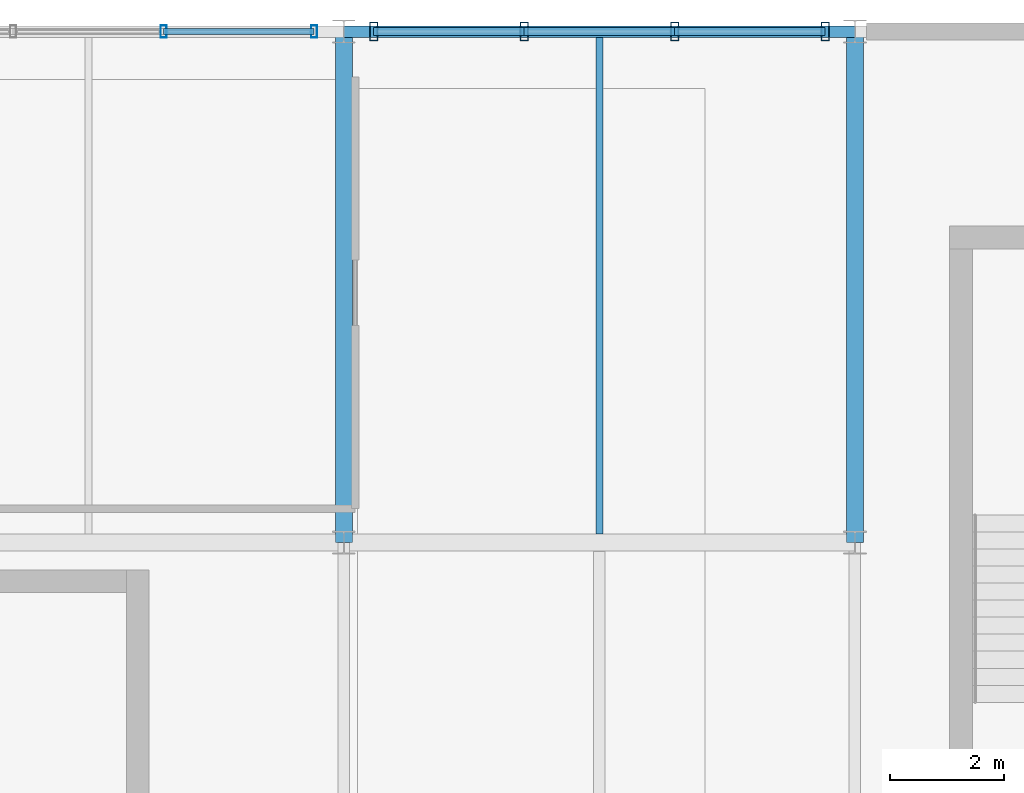
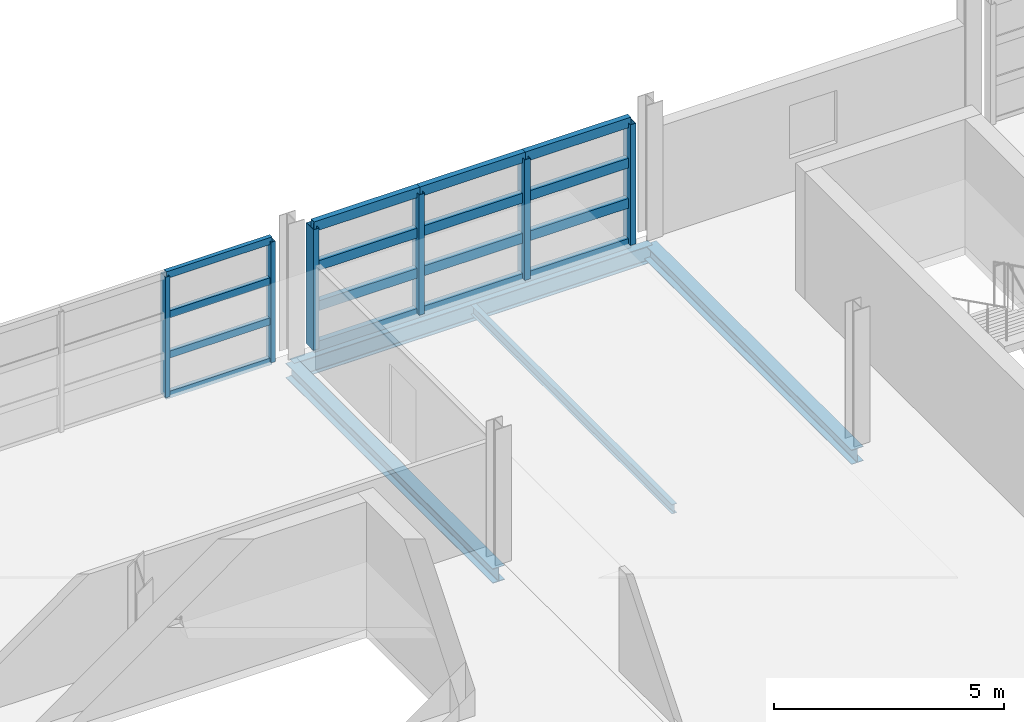
# One storey, part 81 of 116: 22 members, 4 beams, 2 elements without a shape of their own.
"""IFC4 building model written with IfcOpenShell, lengths in metres."""

from ifc_helpers import new_model, si_unit, direction, frame, origin, origin_2d, place, context, subcontext, project, spatial, hollow_rectangle, i_section, extrude, material, material_profile, profile_set, type_object, element, aggregate, save


model = new_model("IFC4")

# Units and contexts
model_context = context("Model", 3, precision=1e-05, world=origin(), true_north=direction((0.0, 1.0)))
body_context = subcontext(model_context, "Body", "Model", "MODEL_VIEW")
ifc_project = project(units=[si_unit("LENGTHUNIT", "METRE"), si_unit("AREAUNIT", "SQUARE_METRE"), si_unit("VOLUMEUNIT", "CUBIC_METRE"), si_unit("PLANEANGLEUNIT", "RADIAN"), si_unit("MASSUNIT", "GRAM", prefix="KILO")], contexts=[model_context])

# Site, building, storey
site_placement = place(None, origin())
site = spatial("IfcSite", under=ifc_project, at=site_placement, CompositionType="ELEMENT")
building_placement = place(site_placement, origin())
building = spatial("IfcBuilding", under=site, at=building_placement, Name="Chuanluo Vaults Station", CompositionType="ELEMENT")
storey_placement = place(building_placement, frame((0.0, 0.0, 10.800048828125)))
storey = spatial("IfcBuildingStorey", under=building, at=storey_placement, Name="L02", CompositionType="ELEMENT", Elevation=10.800048828125)

# Beams
ifc_material_1 = material(Name="Steel Q355C", Category="steel")
ifc_material_profile_1 = material_profile(ifc_material_1, i_section(OverallWidth=0.300048828125, OverallDepth=0.389892578125, WebThickness=0.010009765625, FlangeThickness=0.01611328125, FilletRadius=0.02001953125, at=origin_2d()))
ifc_profile_set_1 = profile_set([ifc_material_profile_1], Name="Steel Q355C")
beam_type_1 = type_object("IfcBeamType", Name="BM-GRD-400", PredefinedType="BEAM", material=ifc_profile_set_1)
for number, where, z_axis, x_axis, name in (
    (1, (163.0, 117.0, -0.4150390625), (0.0, 1.0, 0.0), (-1.0, 0.0, 0.0), "Floor girder BM:GY:L02:0674"),
    (2, (172.0, 117.0, -0.4150390625), (0.0, 1.0, 0.0), (-1.0, 0.0, 0.0), "Floor girder BM:GY:L02:0686"),
):
    element("IfcBeam", number, at=place(storey_placement, frame(where, z_axis=z_axis, x_axis=x_axis)), inside=storey, type_object=beam_type_1, Name=name, PredefinedType="BEAM", context=body_context, shape_type="SweptSolid", body=[
        extrude(i_section(OverallWidth=0.300048828125, OverallDepth=0.389892578125, WebThickness=0.010009765625, FlangeThickness=0.01611328125, FilletRadius=0.02001953125, at=origin_2d()), origin(), (0.0, 0.0, 1.0), 9.0),
    ])
ifc_material_2 = material(Name="Steel Q355C", Category="steel")
ifc_material_profile_2 = material_profile(ifc_material_2, i_section(OverallWidth=0.125, OverallDepth=0.25, WebThickness=0.006103515625, FlangeThickness=0.009033203125, FilletRadius=0.011962890625, at=origin_2d()))
ifc_profile_set_2 = profile_set([ifc_material_profile_2], Name="Steel Q355C")
beam_type_2 = type_object("IfcBeamType", Name="BM-SEC-250", PredefinedType="JOIST", material=ifc_profile_set_2)
beam_1_placement = place(storey_placement, frame((167.5, 117.155029296875, -0.344970703125), z_axis=(0.0, 1.0, 0.0), x_axis=(-1.0, 0.0, 0.0)))
element("IfcBeam", 3, at=beam_1_placement, inside=storey, type_object=beam_type_2, Name="Composite secondary joist 0227", PredefinedType="JOIST", context=body_context, shape_type="SweptSolid", body=[
    extrude(i_section(OverallWidth=0.125, OverallDepth=0.25, WebThickness=0.006103515625, FlangeThickness=0.009033203125, FilletRadius=0.011962890625, at=origin_2d()), origin(), (0.0, 0.0, 1.0), 8.737548828125),
])
ifc_material_3 = material(Name="Steel Q355C", Category="steel")
ifc_material_profile_3 = material_profile(ifc_material_3, i_section(OverallWidth=0.205078125, OverallDepth=0.4599609375, WebThickness=0.009033203125, FlangeThickness=0.013916015625, FilletRadius=0.01611328125, at=origin_2d()))
ifc_profile_set_3 = profile_set([ifc_material_profile_3], Name="Steel Q355C")
beam_type_3 = type_object("IfcBeamType", Name="BM-SPN-450", PredefinedType="SPANDREL", material=ifc_profile_set_3)
beam_2_placement = place(storey_placement, frame((163.0, 126.0, -0.449951171875), z_axis=(1.0, 0.0, 0.0), x_axis=(0.0, 1.0, 0.0)))
element("IfcBeam", 4, at=beam_2_placement, inside=storey, type_object=beam_type_3, Name="Floor girder BM:GX:L02:0617", PredefinedType="SPANDREL", context=body_context, shape_type="SweptSolid", body=[
    extrude(i_section(OverallWidth=0.205078125, OverallDepth=0.4599609375, WebThickness=0.009033203125, FlangeThickness=0.013916015625, FilletRadius=0.01611328125, at=origin_2d()), origin(), (0.0, 0.0, 1.0), 9.0),
])

# Curtain wall, members
ifc_material_4 = material(Name="Anodised aluminium 6063-T6", Category="aluminium")
curtain_wall_type_1 = type_object("IfcCurtainWallType", Name="CW-SYS-12", PredefinedType="NOTDEFINED", material=ifc_material_4)
curtain_wall_1_placement = place(storey_placement, origin())
curtain_wall_1 = element("IfcCurtainWall", 5, at=curtain_wall_1_placement, inside=storey, type_object=curtain_wall_type_1, Name="Operations L02 facade CW", PredefinedType="NOTDEFINED")
ifc_material_5 = material(Name="Anodised aluminium 6063-T6", Category="aluminium")
ifc_material_profile_4 = material_profile(ifc_material_5, hollow_rectangle(XDim=0.10498046875, YDim=0.219970703125, WallThickness=0.006103515625, at=origin_2d()))
ifc_profile_set_4 = profile_set([ifc_material_profile_4], Name="Anodised aluminium 6063-T6")
member_type_1 = type_object("IfcMemberType", Name="CWM-140", PredefinedType="MULLION", material=ifc_profile_set_4)
member_1_placement = place(storey_placement, frame((159.824951171875, 126.0, 0.0), z_axis=(0.0, 0.0, 1.0), x_axis=(1.0, 0.0, 0.0)))
member_1 = element("IfcMember", 6, at=member_1_placement, type_object=member_type_1, Name="Operations L02 facade CW mullion 3", PredefinedType="MULLION", context=body_context, shape_type="SweptSolid", body=[
    extrude(hollow_rectangle(XDim=0.10498046875, YDim=0.219970703125, WallThickness=0.006103515625, at=origin_2d()), origin(), (0.0, 0.0, 1.0), 3.199951171875),
])
member_2_placement = place(storey_placement, frame((162.47509765625, 126.0, 0.0), z_axis=(0.0, 0.0, 1.0), x_axis=(1.0, 0.0, 0.0)))
member_2 = element("IfcMember", 7, at=member_2_placement, type_object=member_type_1, Name="Operations L02 facade CW mullion 4", PredefinedType="MULLION", context=body_context, shape_type="SweptSolid", body=[
    extrude(hollow_rectangle(XDim=0.10498046875, YDim=0.219970703125, WallThickness=0.006103515625, at=origin_2d()), origin(), (0.0, 0.0, 1.0), 3.199951171875),
])

ifc_material_6 = material(Name="Anodised aluminium 6063-T6", Category="aluminium")
curtain_wall_type_2 = type_object("IfcCurtainWallType", Name="CW-SYS-13", PredefinedType="NOTDEFINED", material=ifc_material_6)
curtain_wall_2_placement = place(storey_placement, origin())
curtain_wall_2 = element("IfcCurtainWall", 8, at=curtain_wall_2_placement, inside=storey, type_object=curtain_wall_type_2, Name="Operations L02 facade CW", PredefinedType="NOTDEFINED")
ifc_material_7 = material(Name="Anodised aluminium 6063-T6", Category="aluminium")
ifc_material_profile_5 = material_profile(ifc_material_7, hollow_rectangle(XDim=0.139892578125, YDim=0.320068359375, WallThickness=0.008056640625, at=origin_2d()))
ifc_profile_set_5 = profile_set([ifc_material_profile_5], Name="Anodised aluminium 6063-T6")
member_type_2 = type_object("IfcMemberType", Name="CWM-220", PredefinedType="MULLION", material=ifc_profile_set_5)
member_3_placement = place(storey_placement, frame((163.52490234375, 126.0, 0.0), z_axis=(0.0, 0.0, 1.0), x_axis=(1.0, 0.0, 0.0)))
member_3 = element("IfcMember", 9, at=member_3_placement, type_object=member_type_2, Name="Operations L02 facade CW mullion 1", PredefinedType="MULLION", context=body_context, shape_type="SweptSolid", body=[
    extrude(hollow_rectangle(XDim=0.139892578125, YDim=0.320068359375, WallThickness=0.008056640625, at=origin_2d()), origin(), (0.0, 0.0, 1.0), 3.199951171875),
])
member_4_placement = place(storey_placement, frame((166.175048828125, 126.0, 0.0), z_axis=(0.0, 0.0, 1.0), x_axis=(1.0, 0.0, 0.0)))
member_4 = element("IfcMember", 10, at=member_4_placement, type_object=member_type_2, Name="Operations L02 facade CW mullion 2", PredefinedType="MULLION", context=body_context, shape_type="SweptSolid", body=[
    extrude(hollow_rectangle(XDim=0.139892578125, YDim=0.320068359375, WallThickness=0.008056640625, at=origin_2d()), origin(), (0.0, 0.0, 1.0), 3.199951171875),
])
member_5_placement = place(storey_placement, frame((168.824951171875, 126.0, 0.0), z_axis=(0.0, 0.0, 1.0), x_axis=(1.0, 0.0, 0.0)))
member_5 = element("IfcMember", 11, at=member_5_placement, type_object=member_type_2, Name="Operations L02 facade CW mullion 3", PredefinedType="MULLION", context=body_context, shape_type="SweptSolid", body=[
    extrude(hollow_rectangle(XDim=0.139892578125, YDim=0.320068359375, WallThickness=0.008056640625, at=origin_2d()), origin(), (0.0, 0.0, 1.0), 3.199951171875),
])
member_6_placement = place(storey_placement, frame((171.47509765625, 126.0, 0.0), z_axis=(0.0, 0.0, 1.0), x_axis=(1.0, 0.0, 0.0)))
member_6 = element("IfcMember", 12, at=member_6_placement, type_object=member_type_2, Name="Operations L02 facade CW mullion 4", PredefinedType="MULLION", context=body_context, shape_type="SweptSolid", body=[
    extrude(hollow_rectangle(XDim=0.139892578125, YDim=0.320068359375, WallThickness=0.008056640625, at=origin_2d()), origin(), (0.0, 0.0, 1.0), 3.199951171875),
])

# Member
ifc_material_8 = material(Name="Anodised aluminium 6063-T6", Category="aluminium")
ifc_material_profile_6 = material_profile(ifc_material_8, hollow_rectangle(XDim=0.10498046875, YDim=0.18505859375, WallThickness=0.0048828125, at=origin_2d()))
ifc_profile_set_6 = profile_set([ifc_material_profile_6], Name="Anodised aluminium 6063-T6")
member_type_3 = type_object("IfcMemberType", Name="CWT-110", PredefinedType="USERDEFINED", material=ifc_profile_set_6)
member_7_placement = place(storey_placement, frame((159.824951171875, 126.0, 0.0), z_axis=(1.0, 0.0, 0.0), x_axis=(0.0, 1.0, 0.0)))
member_7 = element("IfcMember", 13, at=member_7_placement, type_object=member_type_3, Name="Operations L02 facade CW transom 3.1", ObjectType="TRANSOM", PredefinedType="USERDEFINED", context=body_context, shape_type="SweptSolid", body=[
    extrude(hollow_rectangle(XDim=0.10498046875, YDim=0.18505859375, WallThickness=0.0048828125, at=origin_2d()), origin(), (0.0, 0.0, 1.0), 2.650146484375),
])

member_8_placement = place(storey_placement, frame((159.824951171875, 126.0, 1.066650390625), z_axis=(1.0, 0.0, 0.0), x_axis=(0.0, 1.0, 0.0)))
member_8 = element("IfcMember", 14, at=member_8_placement, type_object=member_type_3, Name="Operations L02 facade CW transom 3.2", ObjectType="TRANSOM", PredefinedType="USERDEFINED", context=body_context, shape_type="SweptSolid", body=[
    extrude(hollow_rectangle(XDim=0.10498046875, YDim=0.18505859375, WallThickness=0.0048828125, at=origin_2d()), origin(), (0.0, 0.0, 1.0), 2.650146484375),
])

member_9_placement = place(storey_placement, frame((159.824951171875, 126.0, 2.13330078125), z_axis=(1.0, 0.0, 0.0), x_axis=(0.0, 1.0, 0.0)))
member_9 = element("IfcMember", 15, at=member_9_placement, type_object=member_type_3, Name="Operations L02 facade CW transom 3.3", ObjectType="TRANSOM", PredefinedType="USERDEFINED", context=body_context, shape_type="SweptSolid", body=[
    extrude(hollow_rectangle(XDim=0.10498046875, YDim=0.18505859375, WallThickness=0.0048828125, at=origin_2d()), origin(), (0.0, 0.0, 1.0), 2.650146484375),
])

member_10_placement = place(storey_placement, frame((159.824951171875, 126.0, 3.199951171875), z_axis=(1.0, 0.0, 0.0), x_axis=(0.0, 1.0, 0.0)))
member_10 = element("IfcMember", 16, at=member_10_placement, type_object=member_type_3, Name="Operations L02 facade CW transom 3.4", ObjectType="TRANSOM", PredefinedType="USERDEFINED", context=body_context, shape_type="SweptSolid", body=[
    extrude(hollow_rectangle(XDim=0.10498046875, YDim=0.18505859375, WallThickness=0.0048828125, at=origin_2d()), origin(), (0.0, 0.0, 1.0), 2.650146484375),
])

aggregate(curtain_wall_1, [member_1, member_2, member_7, member_8, member_9, member_10])

ifc_material_9 = material(Name="Anodised aluminium 6063-T6", Category="aluminium")
ifc_material_profile_7 = material_profile(ifc_material_9, hollow_rectangle(XDim=0.139892578125, YDim=0.260009765625, WallThickness=0.007080078125, at=origin_2d()))
ifc_profile_set_7 = profile_set([ifc_material_profile_7], Name="Anodised aluminium 6063-T6")
member_type_4 = type_object("IfcMemberType", Name="CWT-180", PredefinedType="USERDEFINED", material=ifc_profile_set_7)
member_11_placement = place(storey_placement, frame((163.52490234375, 126.0, 0.0), z_axis=(1.0, 0.0, 0.0), x_axis=(0.0, 1.0, 0.0)))
member_11 = element("IfcMember", 17, at=member_11_placement, type_object=member_type_4, Name="Operations L02 facade CW transom 1.1", ObjectType="TRANSOM", PredefinedType="USERDEFINED", context=body_context, shape_type="SweptSolid", body=[
    extrude(hollow_rectangle(XDim=0.139892578125, YDim=0.260009765625, WallThickness=0.007080078125, at=origin_2d()), origin(), (0.0, 0.0, 1.0), 2.650146484375),
])

member_12_placement = place(storey_placement, frame((163.52490234375, 126.0, 1.066650390625), z_axis=(1.0, 0.0, 0.0), x_axis=(0.0, 1.0, 0.0)))
member_12 = element("IfcMember", 18, at=member_12_placement, type_object=member_type_4, Name="Operations L02 facade CW transom 1.2", ObjectType="TRANSOM", PredefinedType="USERDEFINED", context=body_context, shape_type="SweptSolid", body=[
    extrude(hollow_rectangle(XDim=0.139892578125, YDim=0.260009765625, WallThickness=0.007080078125, at=origin_2d()), origin(), (0.0, 0.0, 1.0), 2.650146484375),
])

member_13_placement = place(storey_placement, frame((163.52490234375, 126.0, 2.13330078125), z_axis=(1.0, 0.0, 0.0), x_axis=(0.0, 1.0, 0.0)))
member_13 = element("IfcMember", 19, at=member_13_placement, type_object=member_type_4, Name="Operations L02 facade CW transom 1.3", ObjectType="TRANSOM", PredefinedType="USERDEFINED", context=body_context, shape_type="SweptSolid", body=[
    extrude(hollow_rectangle(XDim=0.139892578125, YDim=0.260009765625, WallThickness=0.007080078125, at=origin_2d()), origin(), (0.0, 0.0, 1.0), 2.650146484375),
])

member_14_placement = place(storey_placement, frame((163.52490234375, 126.0, 3.199951171875), z_axis=(1.0, 0.0, 0.0), x_axis=(0.0, 1.0, 0.0)))
member_14 = element("IfcMember", 20, at=member_14_placement, type_object=member_type_4, Name="Operations L02 facade CW transom 1.4", ObjectType="TRANSOM", PredefinedType="USERDEFINED", context=body_context, shape_type="SweptSolid", body=[
    extrude(hollow_rectangle(XDim=0.139892578125, YDim=0.260009765625, WallThickness=0.007080078125, at=origin_2d()), origin(), (0.0, 0.0, 1.0), 2.650146484375),
])

member_15_placement = place(storey_placement, frame((166.175048828125, 126.0, 0.0), z_axis=(1.0, 0.0, 0.0), x_axis=(0.0, 1.0, 0.0)))
member_15 = element("IfcMember", 21, at=member_15_placement, type_object=member_type_4, Name="Operations L02 facade CW transom 2.1", ObjectType="TRANSOM", PredefinedType="USERDEFINED", context=body_context, shape_type="SweptSolid", body=[
    extrude(hollow_rectangle(XDim=0.139892578125, YDim=0.260009765625, WallThickness=0.007080078125, at=origin_2d()), origin(), (0.0, 0.0, 1.0), 2.64990234375),
])

member_16_placement = place(storey_placement, frame((166.175048828125, 126.0, 1.066650390625), z_axis=(1.0, 0.0, 0.0), x_axis=(0.0, 1.0, 0.0)))
member_16 = element("IfcMember", 22, at=member_16_placement, type_object=member_type_4, Name="Operations L02 facade CW transom 2.2", ObjectType="TRANSOM", PredefinedType="USERDEFINED", context=body_context, shape_type="SweptSolid", body=[
    extrude(hollow_rectangle(XDim=0.139892578125, YDim=0.260009765625, WallThickness=0.007080078125, at=origin_2d()), origin(), (0.0, 0.0, 1.0), 2.64990234375),
])

member_17_placement = place(storey_placement, frame((166.175048828125, 126.0, 2.13330078125), z_axis=(1.0, 0.0, 0.0), x_axis=(0.0, 1.0, 0.0)))
member_17 = element("IfcMember", 23, at=member_17_placement, type_object=member_type_4, Name="Operations L02 facade CW transom 2.3", ObjectType="TRANSOM", PredefinedType="USERDEFINED", context=body_context, shape_type="SweptSolid", body=[
    extrude(hollow_rectangle(XDim=0.139892578125, YDim=0.260009765625, WallThickness=0.007080078125, at=origin_2d()), origin(), (0.0, 0.0, 1.0), 2.64990234375),
])

member_18_placement = place(storey_placement, frame((166.175048828125, 126.0, 3.199951171875), z_axis=(1.0, 0.0, 0.0), x_axis=(0.0, 1.0, 0.0)))
member_18 = element("IfcMember", 24, at=member_18_placement, type_object=member_type_4, Name="Operations L02 facade CW transom 2.4", ObjectType="TRANSOM", PredefinedType="USERDEFINED", context=body_context, shape_type="SweptSolid", body=[
    extrude(hollow_rectangle(XDim=0.139892578125, YDim=0.260009765625, WallThickness=0.007080078125, at=origin_2d()), origin(), (0.0, 0.0, 1.0), 2.64990234375),
])

member_19_placement = place(storey_placement, frame((168.824951171875, 126.0, 0.0), z_axis=(1.0, 0.0, 0.0), x_axis=(0.0, 1.0, 0.0)))
member_19 = element("IfcMember", 25, at=member_19_placement, type_object=member_type_4, Name="Operations L02 facade CW transom 3.1", ObjectType="TRANSOM", PredefinedType="USERDEFINED", context=body_context, shape_type="SweptSolid", body=[
    extrude(hollow_rectangle(XDim=0.139892578125, YDim=0.260009765625, WallThickness=0.007080078125, at=origin_2d()), origin(), (0.0, 0.0, 1.0), 2.650146484375),
])

member_20_placement = place(storey_placement, frame((168.824951171875, 126.0, 1.066650390625), z_axis=(1.0, 0.0, 0.0), x_axis=(0.0, 1.0, 0.0)))
member_20 = element("IfcMember", 26, at=member_20_placement, type_object=member_type_4, Name="Operations L02 facade CW transom 3.2", ObjectType="TRANSOM", PredefinedType="USERDEFINED", context=body_context, shape_type="SweptSolid", body=[
    extrude(hollow_rectangle(XDim=0.139892578125, YDim=0.260009765625, WallThickness=0.007080078125, at=origin_2d()), origin(), (0.0, 0.0, 1.0), 2.650146484375),
])

member_21_placement = place(storey_placement, frame((168.824951171875, 126.0, 2.13330078125), z_axis=(1.0, 0.0, 0.0), x_axis=(0.0, 1.0, 0.0)))
member_21 = element("IfcMember", 27, at=member_21_placement, type_object=member_type_4, Name="Operations L02 facade CW transom 3.3", ObjectType="TRANSOM", PredefinedType="USERDEFINED", context=body_context, shape_type="SweptSolid", body=[
    extrude(hollow_rectangle(XDim=0.139892578125, YDim=0.260009765625, WallThickness=0.007080078125, at=origin_2d()), origin(), (0.0, 0.0, 1.0), 2.650146484375),
])

member_22_placement = place(storey_placement, frame((168.824951171875, 126.0, 3.199951171875), z_axis=(1.0, 0.0, 0.0), x_axis=(0.0, 1.0, 0.0)))
member_22 = element("IfcMember", 28, at=member_22_placement, type_object=member_type_4, Name="Operations L02 facade CW transom 3.4", ObjectType="TRANSOM", PredefinedType="USERDEFINED", context=body_context, shape_type="SweptSolid", body=[
    extrude(hollow_rectangle(XDim=0.139892578125, YDim=0.260009765625, WallThickness=0.007080078125, at=origin_2d()), origin(), (0.0, 0.0, 1.0), 2.650146484375),
])

aggregate(curtain_wall_2, [member_3, member_4, member_5, member_6, member_11, member_12, member_13, member_14, member_15, member_16, member_17, member_18, member_19, member_20, member_21, member_22])

save(model, "model.ifc")
